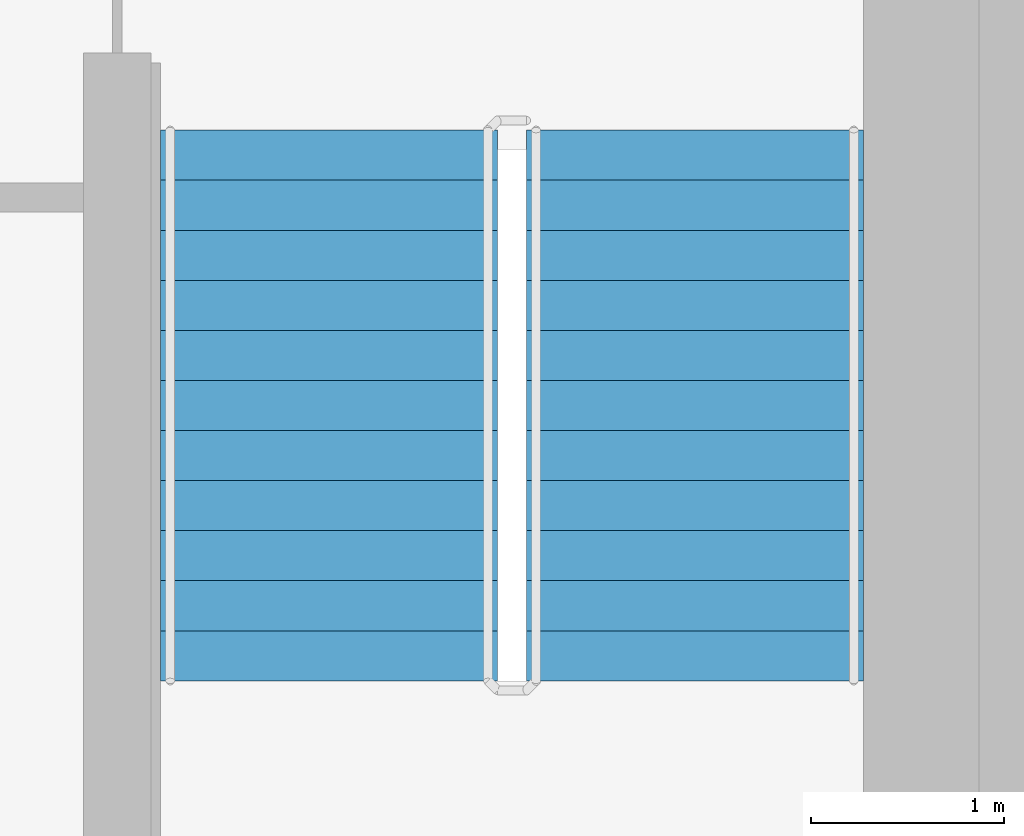
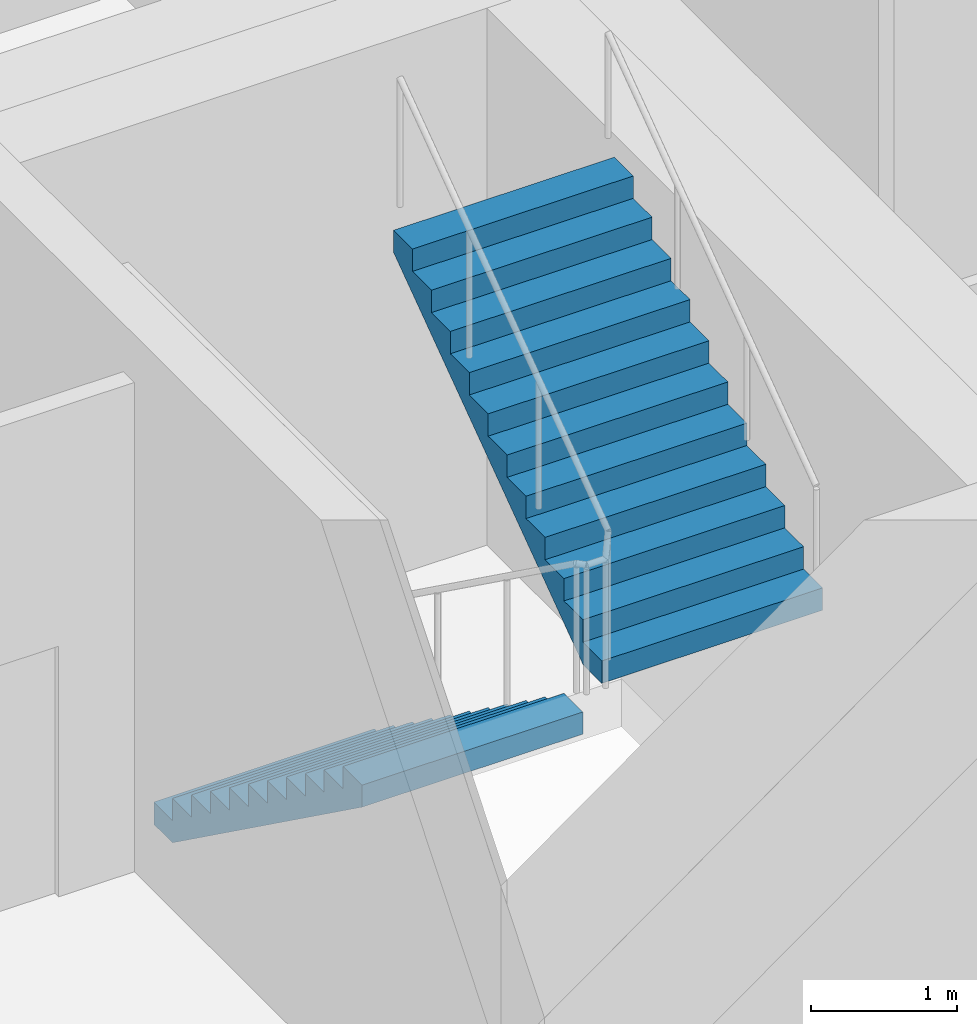
# One storey, part 13 of 16: 2 stair flights, 1 element without a shape of its own.
"""IFC4 building model written with IfcOpenShell, lengths in metres."""

from ifc_helpers import new_model, si_unit, direction, frame, origin, place, context, subcontext, project, spatial, faceted_brep, material, type_object, element, aggregate, save


model = new_model("IFC4")

# Units and contexts
model_context = context("Model", 3, precision=1e-05, world=origin(), true_north=direction((0.0, 1.0)))
body_context = subcontext(model_context, "Body", "Model", "MODEL_VIEW")
ifc_project = project(units=[si_unit("LENGTHUNIT", "METRE"), si_unit("AREAUNIT", "SQUARE_METRE"), si_unit("VOLUMEUNIT", "CUBIC_METRE"), si_unit("PLANEANGLEUNIT", "RADIAN"), si_unit("MASSUNIT", "GRAM", prefix="KILO")], contexts=[model_context])

# Site, building, storey
site_placement = place(None, origin())
site = spatial("IfcSite", under=ifc_project, at=site_placement, CompositionType="ELEMENT")
building_placement = place(site_placement, origin())
building = spatial("IfcBuilding", under=site, at=building_placement, Name="Ipe Terrace Towers", CompositionType="ELEMENT")
storey_placement = place(building_placement, frame((0.0, 0.0, 233.39990234375)))
storey = spatial("IfcBuildingStorey", under=building, at=storey_placement, Name="L65", CompositionType="ELEMENT", Elevation=233.39990234375)

# Stair, stair flights
ifc_material_1 = material(Name="Concrete C30/37", Category="concrete")
stair_type = type_object("IfcStairType", Name="Protected exit stair", PredefinedType="HALF_TURN_STAIR", material=ifc_material_1)
stair_placement = place(storey_placement, origin())
stair = element("IfcStair", 1, at=stair_placement, inside=storey, type_object=stair_type, Name="L65 Exit stair T2-C2", PredefinedType="HALF_TURN_STAIR")
ifc_material_2 = material(Name="Concrete C30/37", Category="concrete")
stair_flight_type = type_object("IfcStairFlightType", Name="Exit stair flight 1750", PredefinedType="STRAIGHT", material=ifc_material_2)
stair_flight_1_placement = place(storey_placement, frame((38.77490234375, -9.699951171875, 0.0), z_axis=(0.0, 0.0, 1.0), x_axis=(0.0, -1.0, 0.0)))
stair_flight_1 = element("IfcStairFlight", 2, at=stair_flight_1_placement, type_object=stair_flight_type, Name="T2-ST2 flight 1", NumberOfRisers=12, NumberOfTreads=11, PredefinedType="STRAIGHT", RiserHeight=0.1875, TreadLength=0.26, context=body_context, shape_type="Brep", body=[
    faceted_brep([(0.25634765625, -0.875, 0.0), (2.860107421875, -0.875, 1.877685546875), (2.860107421875, -0.875, 2.0625), (2.60009765625, -0.875, 2.0625), (2.60009765625, -0.875, 1.875), (2.340087890625, -0.875, 1.875), (2.340087890625, -0.875, 1.6875), (2.080078125, -0.875, 1.6875), (2.080078125, -0.875, 1.5), (1.820068359375, -0.875, 1.5), (1.820068359375, -0.875, 1.3125), (1.56005859375, -0.875, 1.3125), (1.56005859375, -0.875, 1.125), (1.300048828125, -0.875, 1.125), (1.300048828125, -0.875, 0.9375), (1.0400390625, -0.875, 0.9375), (1.0400390625, -0.875, 0.75), (0.780029296875, -0.875, 0.75), (0.780029296875, -0.875, 0.5625), (0.52001953125, -0.875, 0.5625), (0.52001953125, -0.875, 0.375), (0.260009765625, -0.875, 0.375), (0.260009765625, -0.875, 0.1875), (0.0, -0.875, 0.1875), (0.0, -0.875, 0.0), (0.0, 0.875, 0.0), (0.0, 0.875, 0.1875), (0.260009765625, 0.875, 0.1875), (0.260009765625, 0.875, 0.375), (0.52001953125, 0.875, 0.375), (0.52001953125, 0.875, 0.5625), (0.780029296875, 0.875, 0.5625), (0.780029296875, 0.875, 0.75), (1.0400390625, 0.875, 0.75), (1.0400390625, 0.875, 0.9375), (1.300048828125, 0.875, 0.9375), (1.300048828125, 0.875, 1.125), (1.56005859375, 0.875, 1.125), (1.56005859375, 0.875, 1.3125), (1.820068359375, 0.875, 1.3125), (1.820068359375, 0.875, 1.5), (2.080078125, 0.875, 1.5), (2.080078125, 0.875, 1.6875), (2.340087890625, 0.875, 1.6875), (2.340087890625, 0.875, 1.875), (2.60009765625, 0.875, 1.875), (2.60009765625, 0.875, 2.0625), (2.860107421875, 0.875, 2.0625), (2.860107421875, 0.875, 1.877685546875), (0.25634765625, 0.875, 0.0), (0.0, -0.300048828125, 0.1875), (0.0, -0.1201171875, 0.1875), (0.0, -0.06005859375, 0.1875), (0.0, -0.030029296875, 0.1875), (0.0, -0.010009765625, 0.1875), (0.0, 0.0, 0.1875), (0.0, 0.010009765625, 0.1875), (0.0, 0.030029296875, 0.1875), (0.0, 0.06005859375, 0.1875), (0.0, 0.1201171875, 0.1875), (0.0, 0.300048828125, 0.1875), (0.0, 0.300048828125, 0.0), (0.0, 0.1201171875, 0.0), (0.0, 0.06005859375, 0.0), (0.0, 0.030029296875, 0.0), (0.0, 0.010009765625, 0.0), (0.0, 0.0, 0.0), (0.0, -0.010009765625, 0.0), (0.0, -0.030029296875, 0.0), (0.0, -0.06005859375, 0.0), (0.0, -0.1201171875, 0.0), (0.0, -0.300048828125, 0.0), (0.260009765625, -0.300048828125, 0.1875), (0.260009765625, -0.1201171875, 0.1875), (0.260009765625, -0.06005859375, 0.1875), (0.260009765625, -0.030029296875, 0.1875), (0.260009765625, -0.010009765625, 0.1875), (0.260009765625, 0.0, 0.1875), (0.260009765625, 0.010009765625, 0.1875), (0.260009765625, 0.030029296875, 0.1875), (0.260009765625, 0.06005859375, 0.1875), (0.260009765625, 0.1201171875, 0.1875), (0.260009765625, 0.300048828125, 0.1875), (0.260009765625, -0.300048828125, 0.375), (0.260009765625, -0.1201171875, 0.375), (0.260009765625, -0.06005859375, 0.375), (0.260009765625, -0.030029296875, 0.375), (0.260009765625, -0.010009765625, 0.375), (0.260009765625, 0.0, 0.375), (0.260009765625, 0.010009765625, 0.375), (0.260009765625, 0.030029296875, 0.375), (0.260009765625, 0.06005859375, 0.375), (0.260009765625, 0.1201171875, 0.375), (0.260009765625, 0.300048828125, 0.375), (0.52001953125, -0.300048828125, 0.375), (0.52001953125, -0.1201171875, 0.375), (0.52001953125, -0.06005859375, 0.375), (0.52001953125, -0.030029296875, 0.375), (0.52001953125, -0.010009765625, 0.375), (0.52001953125, 0.0, 0.375), (0.52001953125, 0.010009765625, 0.375), (0.52001953125, 0.030029296875, 0.375), (0.52001953125, 0.06005859375, 0.375), (0.52001953125, 0.1201171875, 0.375), (0.52001953125, 0.300048828125, 0.375), (0.52001953125, -0.300048828125, 0.5625), (0.52001953125, -0.1201171875, 0.5625), (0.52001953125, -0.06005859375, 0.5625), (0.52001953125, -0.030029296875, 0.5625), (0.52001953125, -0.010009765625, 0.5625), (0.52001953125, 0.0, 0.5625), (0.52001953125, 0.010009765625, 0.5625), (0.52001953125, 0.030029296875, 0.5625), (0.52001953125, 0.06005859375, 0.5625), (0.52001953125, 0.1201171875, 0.5625), (0.52001953125, 0.300048828125, 0.5625), (0.780029296875, -0.300048828125, 0.5625), (0.780029296875, -0.1201171875, 0.5625), (0.780029296875, -0.06005859375, 0.5625), (0.780029296875, -0.030029296875, 0.5625), (0.780029296875, -0.010009765625, 0.5625), (0.780029296875, 0.0, 0.5625), (0.780029296875, 0.010009765625, 0.5625), (0.780029296875, 0.030029296875, 0.5625), (0.780029296875, 0.06005859375, 0.5625), (0.780029296875, 0.1201171875, 0.5625), (0.780029296875, 0.300048828125, 0.5625), (0.780029296875, -0.300048828125, 0.75), (0.780029296875, -0.1201171875, 0.75), (0.780029296875, -0.06005859375, 0.75), (0.780029296875, -0.030029296875, 0.75), (0.780029296875, -0.010009765625, 0.75), (0.780029296875, 0.0, 0.75), (0.780029296875, 0.010009765625, 0.75), (0.780029296875, 0.030029296875, 0.75), (0.780029296875, 0.06005859375, 0.75), (0.780029296875, 0.1201171875, 0.75), (0.780029296875, 0.300048828125, 0.75), (1.0400390625, -0.300048828125, 0.75), (1.0400390625, -0.1201171875, 0.75), (1.0400390625, -0.06005859375, 0.75), (1.0400390625, -0.030029296875, 0.75), (1.0400390625, -0.010009765625, 0.75), (1.0400390625, 0.0, 0.75), (1.0400390625, 0.010009765625, 0.75), (1.0400390625, 0.030029296875, 0.75), (1.0400390625, 0.06005859375, 0.75), (1.0400390625, 0.1201171875, 0.75), (1.0400390625, 0.300048828125, 0.75), (1.0400390625, -0.300048828125, 0.9375), (1.0400390625, -0.1201171875, 0.9375), (1.0400390625, -0.06005859375, 0.9375), (1.0400390625, -0.030029296875, 0.9375), (1.0400390625, -0.010009765625, 0.9375), (1.0400390625, 0.0, 0.9375), (1.0400390625, 0.010009765625, 0.9375), (1.0400390625, 0.030029296875, 0.9375), (1.0400390625, 0.06005859375, 0.9375), (1.0400390625, 0.1201171875, 0.9375), (1.0400390625, 0.300048828125, 0.9375), (1.300048828125, -0.300048828125, 0.9375), (1.300048828125, -0.1201171875, 0.9375), (1.300048828125, -0.06005859375, 0.9375), (1.300048828125, -0.030029296875, 0.9375), (1.300048828125, -0.010009765625, 0.9375), (1.300048828125, 0.0, 0.9375), (1.300048828125, 0.010009765625, 0.9375), (1.300048828125, 0.030029296875, 0.9375), (1.300048828125, 0.06005859375, 0.9375), (1.300048828125, 0.1201171875, 0.9375), (1.300048828125, 0.300048828125, 0.9375), (1.300048828125, -0.300048828125, 1.125), (1.300048828125, -0.1201171875, 1.125), (1.300048828125, -0.06005859375, 1.125), (1.300048828125, -0.030029296875, 1.125), (1.300048828125, -0.010009765625, 1.125), (1.300048828125, 0.0, 1.125), (1.300048828125, 0.010009765625, 1.125), (1.300048828125, 0.030029296875, 1.125), (1.300048828125, 0.06005859375, 1.125), (1.300048828125, 0.1201171875, 1.125), (1.300048828125, 0.300048828125, 1.125), (1.56005859375, -0.300048828125, 1.125), (1.56005859375, -0.1201171875, 1.125), (1.56005859375, -0.06005859375, 1.125), (1.56005859375, -0.030029296875, 1.125), (1.56005859375, -0.010009765625, 1.125), (1.56005859375, 0.0, 1.125), (1.56005859375, 0.010009765625, 1.125), (1.56005859375, 0.030029296875, 1.125), (1.56005859375, 0.06005859375, 1.125), (1.56005859375, 0.1201171875, 1.125), (1.56005859375, 0.300048828125, 1.125), (1.56005859375, -0.300048828125, 1.3125), (1.56005859375, -0.1201171875, 1.3125), (1.56005859375, -0.06005859375, 1.3125), (1.56005859375, -0.030029296875, 1.3125), (1.56005859375, -0.010009765625, 1.3125), (1.56005859375, 0.0, 1.3125), (1.56005859375, 0.010009765625, 1.3125), (1.56005859375, 0.030029296875, 1.3125), (1.56005859375, 0.06005859375, 1.3125), (1.56005859375, 0.1201171875, 1.3125), (1.56005859375, 0.300048828125, 1.3125), (1.820068359375, -0.300048828125, 1.3125), (1.820068359375, -0.1201171875, 1.3125), (1.820068359375, -0.06005859375, 1.3125), (1.820068359375, -0.030029296875, 1.3125), (1.820068359375, -0.010009765625, 1.3125), (1.820068359375, 0.0, 1.3125), (1.820068359375, 0.010009765625, 1.3125), (1.820068359375, 0.030029296875, 1.3125), (1.820068359375, 0.06005859375, 1.3125), (1.820068359375, 0.1201171875, 1.3125), (1.820068359375, 0.300048828125, 1.3125), (1.820068359375, -0.300048828125, 1.5), (1.820068359375, -0.1201171875, 1.5), (1.820068359375, -0.06005859375, 1.5), (1.820068359375, -0.030029296875, 1.5), (1.820068359375, -0.010009765625, 1.5), (1.820068359375, 0.0, 1.5), (1.820068359375, 0.010009765625, 1.5), (1.820068359375, 0.030029296875, 1.5), (1.820068359375, 0.06005859375, 1.5), (1.820068359375, 0.1201171875, 1.5), (1.820068359375, 0.300048828125, 1.5), (2.080078125, -0.300048828125, 1.5), (2.080078125, -0.1201171875, 1.5), (2.080078125, -0.06005859375, 1.5), (2.080078125, -0.030029296875, 1.5), (2.080078125, -0.010009765625, 1.5), (2.080078125, 0.0, 1.5), (2.080078125, 0.010009765625, 1.5), (2.080078125, 0.030029296875, 1.5), (2.080078125, 0.06005859375, 1.5), (2.080078125, 0.1201171875, 1.5), (2.080078125, 0.300048828125, 1.5), (2.080078125, -0.300048828125, 1.6875), (2.080078125, -0.1201171875, 1.6875), (2.080078125, -0.06005859375, 1.6875), (2.080078125, -0.030029296875, 1.6875), (2.080078125, -0.010009765625, 1.6875), (2.080078125, 0.0, 1.6875), (2.080078125, 0.010009765625, 1.6875), (2.080078125, 0.030029296875, 1.6875), (2.080078125, 0.06005859375, 1.6875), (2.080078125, 0.1201171875, 1.6875), (2.080078125, 0.300048828125, 1.6875), (2.340087890625, -0.300048828125, 1.6875), (2.340087890625, -0.1201171875, 1.6875), (2.340087890625, -0.06005859375, 1.6875), (2.340087890625, -0.030029296875, 1.6875), (2.340087890625, -0.010009765625, 1.6875), (2.340087890625, 0.0, 1.6875), (2.340087890625, 0.010009765625, 1.6875), (2.340087890625, 0.030029296875, 1.6875), (2.340087890625, 0.06005859375, 1.6875), (2.340087890625, 0.1201171875, 1.6875), (2.340087890625, 0.300048828125, 1.6875), (2.340087890625, -0.300048828125, 1.875), (2.340087890625, -0.1201171875, 1.875), (2.340087890625, -0.06005859375, 1.875), (2.340087890625, -0.030029296875, 1.875), (2.340087890625, -0.010009765625, 1.875), (2.340087890625, 0.0, 1.875), (2.340087890625, 0.010009765625, 1.875), (2.340087890625, 0.030029296875, 1.875), (2.340087890625, 0.06005859375, 1.875), (2.340087890625, 0.1201171875, 1.875), (2.340087890625, 0.300048828125, 1.875), (2.60009765625, -0.300048828125, 1.875), (2.60009765625, -0.1201171875, 1.875), (2.60009765625, -0.06005859375, 1.875), (2.60009765625, -0.030029296875, 1.875), (2.60009765625, -0.010009765625, 1.875), (2.60009765625, 0.0, 1.875), (2.60009765625, 0.010009765625, 1.875), (2.60009765625, 0.030029296875, 1.875), (2.60009765625, 0.06005859375, 1.875), (2.60009765625, 0.1201171875, 1.875), (2.60009765625, 0.300048828125, 1.875), (2.60009765625, -0.300048828125, 2.0625), (2.60009765625, -0.1201171875, 2.0625), (2.60009765625, -0.06005859375, 2.0625), (2.60009765625, -0.030029296875, 2.0625), (2.60009765625, -0.010009765625, 2.0625), (2.60009765625, 0.0, 2.0625), (2.60009765625, 0.010009765625, 2.0625), (2.60009765625, 0.030029296875, 2.0625), (2.60009765625, 0.06005859375, 2.0625), (2.60009765625, 0.1201171875, 2.0625), (2.60009765625, 0.300048828125, 2.0625), (2.860107421875, -0.300048828125, 2.0625), (2.860107421875, -0.1201171875, 2.0625), (2.860107421875, -0.06005859375, 2.0625), (2.860107421875, -0.030029296875, 2.0625), (2.860107421875, -0.010009765625, 2.0625), (2.860107421875, 0.0, 2.0625), (2.860107421875, 0.010009765625, 2.0625), (2.860107421875, 0.030029296875, 2.0625), (2.860107421875, 0.06005859375, 2.0625), (2.860107421875, 0.1201171875, 2.0625), (2.860107421875, 0.300048828125, 2.0625), (2.860107421875, -0.300048828125, 1.877685546875), (2.860107421875, -0.1201171875, 1.877685546875), (2.860107421875, -0.06005859375, 1.877685546875), (2.860107421875, -0.030029296875, 1.877685546875), (2.860107421875, -0.010009765625, 1.877685546875), (2.860107421875, 0.0, 1.877685546875), (2.860107421875, 0.010009765625, 1.877685546875), (2.860107421875, 0.030029296875, 1.877685546875), (2.860107421875, 0.06005859375, 1.877685546875), (2.860107421875, 0.1201171875, 1.877685546875), (2.860107421875, 0.300048828125, 1.877685546875), (0.25634765625, -0.300048828125, 0.0), (0.25634765625, -0.1201171875, 0.0), (0.25634765625, -0.06005859375, 0.0), (0.25634765625, -0.030029296875, 0.0), (0.25634765625, -0.010009765625, 0.0), (0.25634765625, 0.0, 0.0), (0.25634765625, 0.010009765625, 0.0), (0.25634765625, 0.030029296875, 0.0), (0.25634765625, 0.06005859375, 0.0), (0.25634765625, 0.1201171875, 0.0), (0.25634765625, 0.300048828125, 0.0)], [[[0, 1, 2, 3, 4, 5, 6, 7, 8, 9, 10, 11, 12, 13, 14, 15, 16, 17, 18, 19, 20, 21, 22, 23, 24]], [[25, 26, 27, 28, 29, 30, 31, 32, 33, 34, 35, 36, 37, 38, 39, 40, 41, 42, 43, 44, 45, 46, 47, 48, 49]], [[23, 50, 51, 52, 53, 54, 55, 56, 57, 58, 59, 60, 26, 25, 61, 62, 63, 64, 65, 66, 67, 68, 69, 70, 71, 24]], [[22, 72, 73, 74, 75, 76, 77, 78, 79, 80, 81, 82, 27, 26, 60, 59, 58, 57, 56, 55, 54, 53, 52, 51, 50, 23]], [[21, 83, 84, 85, 86, 87, 88, 89, 90, 91, 92, 93, 28, 27, 82, 81, 80, 79, 78, 77, 76, 75, 74, 73, 72, 22]], [[20, 94, 95, 96, 97, 98, 99, 100, 101, 102, 103, 104, 29, 28, 93, 92, 91, 90, 89, 88, 87, 86, 85, 84, 83, 21]], [[19, 105, 106, 107, 108, 109, 110, 111, 112, 113, 114, 115, 30, 29, 104, 103, 102, 101, 100, 99, 98, 97, 96, 95, 94, 20]], [[18, 116, 117, 118, 119, 120, 121, 122, 123, 124, 125, 126, 31, 30, 115, 114, 113, 112, 111, 110, 109, 108, 107, 106, 105, 19]], [[17, 127, 128, 129, 130, 131, 132, 133, 134, 135, 136, 137, 32, 31, 126, 125, 124, 123, 122, 121, 120, 119, 118, 117, 116, 18]], [[16, 138, 139, 140, 141, 142, 143, 144, 145, 146, 147, 148, 33, 32, 137, 136, 135, 134, 133, 132, 131, 130, 129, 128, 127, 17]], [[15, 149, 150, 151, 152, 153, 154, 155, 156, 157, 158, 159, 34, 33, 148, 147, 146, 145, 144, 143, 142, 141, 140, 139, 138, 16]], [[14, 160, 161, 162, 163, 164, 165, 166, 167, 168, 169, 170, 35, 34, 159, 158, 157, 156, 155, 154, 153, 152, 151, 150, 149, 15]], [[13, 171, 172, 173, 174, 175, 176, 177, 178, 179, 180, 181, 36, 35, 170, 169, 168, 167, 166, 165, 164, 163, 162, 161, 160, 14]], [[12, 182, 183, 184, 185, 186, 187, 188, 189, 190, 191, 192, 37, 36, 181, 180, 179, 178, 177, 176, 175, 174, 173, 172, 171, 13]], [[11, 193, 194, 195, 196, 197, 198, 199, 200, 201, 202, 203, 38, 37, 192, 191, 190, 189, 188, 187, 186, 185, 184, 183, 182, 12]], [[10, 204, 205, 206, 207, 208, 209, 210, 211, 212, 213, 214, 39, 38, 203, 202, 201, 200, 199, 198, 197, 196, 195, 194, 193, 11]], [[9, 215, 216, 217, 218, 219, 220, 221, 222, 223, 224, 225, 40, 39, 214, 213, 212, 211, 210, 209, 208, 207, 206, 205, 204, 10]], [[8, 226, 227, 228, 229, 230, 231, 232, 233, 234, 235, 236, 41, 40, 225, 224, 223, 222, 221, 220, 219, 218, 217, 216, 215, 9]], [[7, 237, 238, 239, 240, 241, 242, 243, 244, 245, 246, 247, 42, 41, 236, 235, 234, 233, 232, 231, 230, 229, 228, 227, 226, 8]], [[6, 248, 249, 250, 251, 252, 253, 254, 255, 256, 257, 258, 43, 42, 247, 246, 245, 244, 243, 242, 241, 240, 239, 238, 237, 7]], [[5, 259, 260, 261, 262, 263, 264, 265, 266, 267, 268, 269, 44, 43, 258, 257, 256, 255, 254, 253, 252, 251, 250, 249, 248, 6]], [[4, 270, 271, 272, 273, 274, 275, 276, 277, 278, 279, 280, 45, 44, 269, 268, 267, 266, 265, 264, 263, 262, 261, 260, 259, 5]], [[3, 281, 282, 283, 284, 285, 286, 287, 288, 289, 290, 291, 46, 45, 280, 279, 278, 277, 276, 275, 274, 273, 272, 271, 270, 4]], [[2, 292, 293, 294, 295, 296, 297, 298, 299, 300, 301, 302, 47, 46, 291, 290, 289, 288, 287, 286, 285, 284, 283, 282, 281, 3]], [[1, 303, 304, 305, 306, 307, 308, 309, 310, 311, 312, 313, 48, 47, 302, 301, 300, 299, 298, 297, 296, 295, 294, 293, 292, 2]], [[0, 314, 315, 316, 317, 318, 319, 320, 321, 322, 323, 324, 49, 48, 313, 312, 311, 310, 309, 308, 307, 306, 305, 304, 303, 1]], [[24, 71, 70, 69, 68, 67, 66, 65, 64, 63, 62, 61, 25, 49, 324, 323, 322, 321, 320, 319, 318, 317, 316, 315, 314, 0]]]),
])
stair_flight_2_placement = place(storey_placement, frame((40.675048828125, -12.56005859375, 2.25), z_axis=(0.0, 0.0, 1.0), x_axis=(0.0, 1.0, 0.0)))
stair_flight_2 = element("IfcStairFlight", 3, at=stair_flight_2_placement, type_object=stair_flight_type, Name="T2-ST2 flight 2", NumberOfRisers=12, NumberOfTreads=11, PredefinedType="STRAIGHT", RiserHeight=0.1875, TreadLength=0.26, context=body_context, shape_type="Brep", body=[
    faceted_brep([(0.25634765625, -0.875, 0.0), (2.860107421875, -0.875, 1.877685546875), (2.860107421875, -0.875, 2.0625), (2.60009765625, -0.875, 2.0625), (2.60009765625, -0.875, 1.875), (2.340087890625, -0.875, 1.875), (2.340087890625, -0.875, 1.6875), (2.080078125, -0.875, 1.6875), (2.080078125, -0.875, 1.5), (1.820068359375, -0.875, 1.5), (1.820068359375, -0.875, 1.3125), (1.56005859375, -0.875, 1.3125), (1.56005859375, -0.875, 1.125), (1.300048828125, -0.875, 1.125), (1.300048828125, -0.875, 0.9375), (1.0400390625, -0.875, 0.9375), (1.0400390625, -0.875, 0.75), (0.780029296875, -0.875, 0.75), (0.780029296875, -0.875, 0.5625), (0.52001953125, -0.875, 0.5625), (0.52001953125, -0.875, 0.375), (0.260009765625, -0.875, 0.375), (0.260009765625, -0.875, 0.1875), (0.0, -0.875, 0.1875), (0.0, -0.875, 0.0), (0.0, 0.875, 0.0), (0.0, 0.875, 0.1875), (0.260009765625, 0.875, 0.1875), (0.260009765625, 0.875, 0.375), (0.52001953125, 0.875, 0.375), (0.52001953125, 0.875, 0.5625), (0.780029296875, 0.875, 0.5625), (0.780029296875, 0.875, 0.75), (1.0400390625, 0.875, 0.75), (1.0400390625, 0.875, 0.9375), (1.300048828125, 0.875, 0.9375), (1.300048828125, 0.875, 1.125), (1.56005859375, 0.875, 1.125), (1.56005859375, 0.875, 1.3125), (1.820068359375, 0.875, 1.3125), (1.820068359375, 0.875, 1.5), (2.080078125, 0.875, 1.5), (2.080078125, 0.875, 1.6875), (2.340087890625, 0.875, 1.6875), (2.340087890625, 0.875, 1.875), (2.60009765625, 0.875, 1.875), (2.60009765625, 0.875, 2.0625), (2.860107421875, 0.875, 2.0625), (2.860107421875, 0.875, 1.877685546875), (0.25634765625, 0.875, 0.0), (0.0, -0.300048828125, 0.1875), (0.0, -0.1201171875, 0.1875), (0.0, -0.06005859375, 0.1875), (0.0, -0.030029296875, 0.1875), (0.0, -0.010009765625, 0.1875), (0.0, 0.0, 0.1875), (0.0, 0.010009765625, 0.1875), (0.0, 0.030029296875, 0.1875), (0.0, 0.06005859375, 0.1875), (0.0, 0.1201171875, 0.1875), (0.0, 0.300048828125, 0.1875), (0.0, 0.300048828125, 0.0), (0.0, 0.1201171875, 0.0), (0.0, 0.06005859375, 0.0), (0.0, 0.030029296875, 0.0), (0.0, 0.010009765625, 0.0), (0.0, 0.0, 0.0), (0.0, -0.010009765625, 0.0), (0.0, -0.030029296875, 0.0), (0.0, -0.06005859375, 0.0), (0.0, -0.1201171875, 0.0), (0.0, -0.300048828125, 0.0), (0.260009765625, -0.300048828125, 0.1875), (0.260009765625, -0.1201171875, 0.1875), (0.260009765625, -0.06005859375, 0.1875), (0.260009765625, -0.030029296875, 0.1875), (0.260009765625, -0.010009765625, 0.1875), (0.260009765625, 0.0, 0.1875), (0.260009765625, 0.010009765625, 0.1875), (0.260009765625, 0.030029296875, 0.1875), (0.260009765625, 0.06005859375, 0.1875), (0.260009765625, 0.1201171875, 0.1875), (0.260009765625, 0.300048828125, 0.1875), (0.260009765625, -0.300048828125, 0.375), (0.260009765625, -0.1201171875, 0.375), (0.260009765625, -0.06005859375, 0.375), (0.260009765625, -0.030029296875, 0.375), (0.260009765625, -0.010009765625, 0.375), (0.260009765625, 0.0, 0.375), (0.260009765625, 0.010009765625, 0.375), (0.260009765625, 0.030029296875, 0.375), (0.260009765625, 0.06005859375, 0.375), (0.260009765625, 0.1201171875, 0.375), (0.260009765625, 0.300048828125, 0.375), (0.52001953125, -0.300048828125, 0.375), (0.52001953125, -0.1201171875, 0.375), (0.52001953125, -0.06005859375, 0.375), (0.52001953125, -0.030029296875, 0.375), (0.52001953125, -0.010009765625, 0.375), (0.52001953125, 0.0, 0.375), (0.52001953125, 0.010009765625, 0.375), (0.52001953125, 0.030029296875, 0.375), (0.52001953125, 0.06005859375, 0.375), (0.52001953125, 0.1201171875, 0.375), (0.52001953125, 0.300048828125, 0.375), (0.52001953125, -0.300048828125, 0.5625), (0.52001953125, -0.1201171875, 0.5625), (0.52001953125, -0.06005859375, 0.5625), (0.52001953125, -0.030029296875, 0.5625), (0.52001953125, -0.010009765625, 0.5625), (0.52001953125, 0.0, 0.5625), (0.52001953125, 0.010009765625, 0.5625), (0.52001953125, 0.030029296875, 0.5625), (0.52001953125, 0.06005859375, 0.5625), (0.52001953125, 0.1201171875, 0.5625), (0.52001953125, 0.300048828125, 0.5625), (0.780029296875, -0.300048828125, 0.5625), (0.780029296875, -0.1201171875, 0.5625), (0.780029296875, -0.06005859375, 0.5625), (0.780029296875, -0.030029296875, 0.5625), (0.780029296875, -0.010009765625, 0.5625), (0.780029296875, 0.0, 0.5625), (0.780029296875, 0.010009765625, 0.5625), (0.780029296875, 0.030029296875, 0.5625), (0.780029296875, 0.06005859375, 0.5625), (0.780029296875, 0.1201171875, 0.5625), (0.780029296875, 0.300048828125, 0.5625), (0.780029296875, -0.300048828125, 0.75), (0.780029296875, -0.1201171875, 0.75), (0.780029296875, -0.06005859375, 0.75), (0.780029296875, -0.030029296875, 0.75), (0.780029296875, -0.010009765625, 0.75), (0.780029296875, 0.0, 0.75), (0.780029296875, 0.010009765625, 0.75), (0.780029296875, 0.030029296875, 0.75), (0.780029296875, 0.06005859375, 0.75), (0.780029296875, 0.1201171875, 0.75), (0.780029296875, 0.300048828125, 0.75), (1.0400390625, -0.300048828125, 0.75), (1.0400390625, -0.1201171875, 0.75), (1.0400390625, -0.06005859375, 0.75), (1.0400390625, -0.030029296875, 0.75), (1.0400390625, -0.010009765625, 0.75), (1.0400390625, 0.0, 0.75), (1.0400390625, 0.010009765625, 0.75), (1.0400390625, 0.030029296875, 0.75), (1.0400390625, 0.06005859375, 0.75), (1.0400390625, 0.1201171875, 0.75), (1.0400390625, 0.300048828125, 0.75), (1.0400390625, -0.300048828125, 0.9375), (1.0400390625, -0.1201171875, 0.9375), (1.0400390625, -0.06005859375, 0.9375), (1.0400390625, -0.030029296875, 0.9375), (1.0400390625, -0.010009765625, 0.9375), (1.0400390625, 0.0, 0.9375), (1.0400390625, 0.010009765625, 0.9375), (1.0400390625, 0.030029296875, 0.9375), (1.0400390625, 0.06005859375, 0.9375), (1.0400390625, 0.1201171875, 0.9375), (1.0400390625, 0.300048828125, 0.9375), (1.300048828125, -0.300048828125, 0.9375), (1.300048828125, -0.1201171875, 0.9375), (1.300048828125, -0.06005859375, 0.9375), (1.300048828125, -0.030029296875, 0.9375), (1.300048828125, -0.010009765625, 0.9375), (1.300048828125, 0.0, 0.9375), (1.300048828125, 0.010009765625, 0.9375), (1.300048828125, 0.030029296875, 0.9375), (1.300048828125, 0.06005859375, 0.9375), (1.300048828125, 0.1201171875, 0.9375), (1.300048828125, 0.300048828125, 0.9375), (1.300048828125, -0.300048828125, 1.125), (1.300048828125, -0.1201171875, 1.125), (1.300048828125, -0.06005859375, 1.125), (1.300048828125, -0.030029296875, 1.125), (1.300048828125, -0.010009765625, 1.125), (1.300048828125, 0.0, 1.125), (1.300048828125, 0.010009765625, 1.125), (1.300048828125, 0.030029296875, 1.125), (1.300048828125, 0.06005859375, 1.125), (1.300048828125, 0.1201171875, 1.125), (1.300048828125, 0.300048828125, 1.125), (1.56005859375, -0.300048828125, 1.125), (1.56005859375, -0.1201171875, 1.125), (1.56005859375, -0.06005859375, 1.125), (1.56005859375, -0.030029296875, 1.125), (1.56005859375, -0.010009765625, 1.125), (1.56005859375, 0.0, 1.125), (1.56005859375, 0.010009765625, 1.125), (1.56005859375, 0.030029296875, 1.125), (1.56005859375, 0.06005859375, 1.125), (1.56005859375, 0.1201171875, 1.125), (1.56005859375, 0.300048828125, 1.125), (1.56005859375, -0.300048828125, 1.3125), (1.56005859375, -0.1201171875, 1.3125), (1.56005859375, -0.06005859375, 1.3125), (1.56005859375, -0.030029296875, 1.3125), (1.56005859375, -0.010009765625, 1.3125), (1.56005859375, 0.0, 1.3125), (1.56005859375, 0.010009765625, 1.3125), (1.56005859375, 0.030029296875, 1.3125), (1.56005859375, 0.06005859375, 1.3125), (1.56005859375, 0.1201171875, 1.3125), (1.56005859375, 0.300048828125, 1.3125), (1.820068359375, -0.300048828125, 1.3125), (1.820068359375, -0.1201171875, 1.3125), (1.820068359375, -0.06005859375, 1.3125), (1.820068359375, -0.030029296875, 1.3125), (1.820068359375, -0.010009765625, 1.3125), (1.820068359375, 0.0, 1.3125), (1.820068359375, 0.010009765625, 1.3125), (1.820068359375, 0.030029296875, 1.3125), (1.820068359375, 0.06005859375, 1.3125), (1.820068359375, 0.1201171875, 1.3125), (1.820068359375, 0.300048828125, 1.3125), (1.820068359375, -0.300048828125, 1.5), (1.820068359375, -0.1201171875, 1.5), (1.820068359375, -0.06005859375, 1.5), (1.820068359375, -0.030029296875, 1.5), (1.820068359375, -0.010009765625, 1.5), (1.820068359375, 0.0, 1.5), (1.820068359375, 0.010009765625, 1.5), (1.820068359375, 0.030029296875, 1.5), (1.820068359375, 0.06005859375, 1.5), (1.820068359375, 0.1201171875, 1.5), (1.820068359375, 0.300048828125, 1.5), (2.080078125, -0.300048828125, 1.5), (2.080078125, -0.1201171875, 1.5), (2.080078125, -0.06005859375, 1.5), (2.080078125, -0.030029296875, 1.5), (2.080078125, -0.010009765625, 1.5), (2.080078125, 0.0, 1.5), (2.080078125, 0.010009765625, 1.5), (2.080078125, 0.030029296875, 1.5), (2.080078125, 0.06005859375, 1.5), (2.080078125, 0.1201171875, 1.5), (2.080078125, 0.300048828125, 1.5), (2.080078125, -0.300048828125, 1.6875), (2.080078125, -0.1201171875, 1.6875), (2.080078125, -0.06005859375, 1.6875), (2.080078125, -0.030029296875, 1.6875), (2.080078125, -0.010009765625, 1.6875), (2.080078125, 0.0, 1.6875), (2.080078125, 0.010009765625, 1.6875), (2.080078125, 0.030029296875, 1.6875), (2.080078125, 0.06005859375, 1.6875), (2.080078125, 0.1201171875, 1.6875), (2.080078125, 0.300048828125, 1.6875), (2.340087890625, -0.300048828125, 1.6875), (2.340087890625, -0.1201171875, 1.6875), (2.340087890625, -0.06005859375, 1.6875), (2.340087890625, -0.030029296875, 1.6875), (2.340087890625, -0.010009765625, 1.6875), (2.340087890625, 0.0, 1.6875), (2.340087890625, 0.010009765625, 1.6875), (2.340087890625, 0.030029296875, 1.6875), (2.340087890625, 0.06005859375, 1.6875), (2.340087890625, 0.1201171875, 1.6875), (2.340087890625, 0.300048828125, 1.6875), (2.340087890625, -0.300048828125, 1.875), (2.340087890625, -0.1201171875, 1.875), (2.340087890625, -0.06005859375, 1.875), (2.340087890625, -0.030029296875, 1.875), (2.340087890625, -0.010009765625, 1.875), (2.340087890625, 0.0, 1.875), (2.340087890625, 0.010009765625, 1.875), (2.340087890625, 0.030029296875, 1.875), (2.340087890625, 0.06005859375, 1.875), (2.340087890625, 0.1201171875, 1.875), (2.340087890625, 0.300048828125, 1.875), (2.60009765625, -0.300048828125, 1.875), (2.60009765625, -0.1201171875, 1.875), (2.60009765625, -0.06005859375, 1.875), (2.60009765625, -0.030029296875, 1.875), (2.60009765625, -0.010009765625, 1.875), (2.60009765625, 0.0, 1.875), (2.60009765625, 0.010009765625, 1.875), (2.60009765625, 0.030029296875, 1.875), (2.60009765625, 0.06005859375, 1.875), (2.60009765625, 0.1201171875, 1.875), (2.60009765625, 0.300048828125, 1.875), (2.60009765625, -0.300048828125, 2.0625), (2.60009765625, -0.1201171875, 2.0625), (2.60009765625, -0.06005859375, 2.0625), (2.60009765625, -0.030029296875, 2.0625), (2.60009765625, -0.010009765625, 2.0625), (2.60009765625, 0.0, 2.0625), (2.60009765625, 0.010009765625, 2.0625), (2.60009765625, 0.030029296875, 2.0625), (2.60009765625, 0.06005859375, 2.0625), (2.60009765625, 0.1201171875, 2.0625), (2.60009765625, 0.300048828125, 2.0625), (2.860107421875, -0.300048828125, 2.0625), (2.860107421875, -0.1201171875, 2.0625), (2.860107421875, -0.06005859375, 2.0625), (2.860107421875, -0.030029296875, 2.0625), (2.860107421875, -0.010009765625, 2.0625), (2.860107421875, 0.0, 2.0625), (2.860107421875, 0.010009765625, 2.0625), (2.860107421875, 0.030029296875, 2.0625), (2.860107421875, 0.06005859375, 2.0625), (2.860107421875, 0.1201171875, 2.0625), (2.860107421875, 0.300048828125, 2.0625), (2.860107421875, -0.300048828125, 1.877685546875), (2.860107421875, -0.1201171875, 1.877685546875), (2.860107421875, -0.06005859375, 1.877685546875), (2.860107421875, -0.030029296875, 1.877685546875), (2.860107421875, -0.010009765625, 1.877685546875), (2.860107421875, 0.0, 1.877685546875), (2.860107421875, 0.010009765625, 1.877685546875), (2.860107421875, 0.030029296875, 1.877685546875), (2.860107421875, 0.06005859375, 1.877685546875), (2.860107421875, 0.1201171875, 1.877685546875), (2.860107421875, 0.300048828125, 1.877685546875), (0.25634765625, -0.300048828125, 0.0), (0.25634765625, -0.1201171875, 0.0), (0.25634765625, -0.06005859375, 0.0), (0.25634765625, -0.030029296875, 0.0), (0.25634765625, -0.010009765625, 0.0), (0.25634765625, 0.0, 0.0), (0.25634765625, 0.010009765625, 0.0), (0.25634765625, 0.030029296875, 0.0), (0.25634765625, 0.06005859375, 0.0), (0.25634765625, 0.1201171875, 0.0), (0.25634765625, 0.300048828125, 0.0)], [[[0, 1, 2, 3, 4, 5, 6, 7, 8, 9, 10, 11, 12, 13, 14, 15, 16, 17, 18, 19, 20, 21, 22, 23, 24]], [[25, 26, 27, 28, 29, 30, 31, 32, 33, 34, 35, 36, 37, 38, 39, 40, 41, 42, 43, 44, 45, 46, 47, 48, 49]], [[23, 50, 51, 52, 53, 54, 55, 56, 57, 58, 59, 60, 26, 25, 61, 62, 63, 64, 65, 66, 67, 68, 69, 70, 71, 24]], [[22, 72, 73, 74, 75, 76, 77, 78, 79, 80, 81, 82, 27, 26, 60, 59, 58, 57, 56, 55, 54, 53, 52, 51, 50, 23]], [[21, 83, 84, 85, 86, 87, 88, 89, 90, 91, 92, 93, 28, 27, 82, 81, 80, 79, 78, 77, 76, 75, 74, 73, 72, 22]], [[20, 94, 95, 96, 97, 98, 99, 100, 101, 102, 103, 104, 29, 28, 93, 92, 91, 90, 89, 88, 87, 86, 85, 84, 83, 21]], [[19, 105, 106, 107, 108, 109, 110, 111, 112, 113, 114, 115, 30, 29, 104, 103, 102, 101, 100, 99, 98, 97, 96, 95, 94, 20]], [[18, 116, 117, 118, 119, 120, 121, 122, 123, 124, 125, 126, 31, 30, 115, 114, 113, 112, 111, 110, 109, 108, 107, 106, 105, 19]], [[17, 127, 128, 129, 130, 131, 132, 133, 134, 135, 136, 137, 32, 31, 126, 125, 124, 123, 122, 121, 120, 119, 118, 117, 116, 18]], [[16, 138, 139, 140, 141, 142, 143, 144, 145, 146, 147, 148, 33, 32, 137, 136, 135, 134, 133, 132, 131, 130, 129, 128, 127, 17]], [[15, 149, 150, 151, 152, 153, 154, 155, 156, 157, 158, 159, 34, 33, 148, 147, 146, 145, 144, 143, 142, 141, 140, 139, 138, 16]], [[14, 160, 161, 162, 163, 164, 165, 166, 167, 168, 169, 170, 35, 34, 159, 158, 157, 156, 155, 154, 153, 152, 151, 150, 149, 15]], [[13, 171, 172, 173, 174, 175, 176, 177, 178, 179, 180, 181, 36, 35, 170, 169, 168, 167, 166, 165, 164, 163, 162, 161, 160, 14]], [[12, 182, 183, 184, 185, 186, 187, 188, 189, 190, 191, 192, 37, 36, 181, 180, 179, 178, 177, 176, 175, 174, 173, 172, 171, 13]], [[11, 193, 194, 195, 196, 197, 198, 199, 200, 201, 202, 203, 38, 37, 192, 191, 190, 189, 188, 187, 186, 185, 184, 183, 182, 12]], [[10, 204, 205, 206, 207, 208, 209, 210, 211, 212, 213, 214, 39, 38, 203, 202, 201, 200, 199, 198, 197, 196, 195, 194, 193, 11]], [[9, 215, 216, 217, 218, 219, 220, 221, 222, 223, 224, 225, 40, 39, 214, 213, 212, 211, 210, 209, 208, 207, 206, 205, 204, 10]], [[8, 226, 227, 228, 229, 230, 231, 232, 233, 234, 235, 236, 41, 40, 225, 224, 223, 222, 221, 220, 219, 218, 217, 216, 215, 9]], [[7, 237, 238, 239, 240, 241, 242, 243, 244, 245, 246, 247, 42, 41, 236, 235, 234, 233, 232, 231, 230, 229, 228, 227, 226, 8]], [[6, 248, 249, 250, 251, 252, 253, 254, 255, 256, 257, 258, 43, 42, 247, 246, 245, 244, 243, 242, 241, 240, 239, 238, 237, 7]], [[5, 259, 260, 261, 262, 263, 264, 265, 266, 267, 268, 269, 44, 43, 258, 257, 256, 255, 254, 253, 252, 251, 250, 249, 248, 6]], [[4, 270, 271, 272, 273, 274, 275, 276, 277, 278, 279, 280, 45, 44, 269, 268, 267, 266, 265, 264, 263, 262, 261, 260, 259, 5]], [[3, 281, 282, 283, 284, 285, 286, 287, 288, 289, 290, 291, 46, 45, 280, 279, 278, 277, 276, 275, 274, 273, 272, 271, 270, 4]], [[2, 292, 293, 294, 295, 296, 297, 298, 299, 300, 301, 302, 47, 46, 291, 290, 289, 288, 287, 286, 285, 284, 283, 282, 281, 3]], [[1, 303, 304, 305, 306, 307, 308, 309, 310, 311, 312, 313, 48, 47, 302, 301, 300, 299, 298, 297, 296, 295, 294, 293, 292, 2]], [[0, 314, 315, 316, 317, 318, 319, 320, 321, 322, 323, 324, 49, 48, 313, 312, 311, 310, 309, 308, 307, 306, 305, 304, 303, 1]], [[24, 71, 70, 69, 68, 67, 66, 65, 64, 63, 62, 61, 25, 49, 324, 323, 322, 321, 320, 319, 318, 317, 316, 315, 314, 0]]]),
])
aggregate(stair, [stair_flight_1, stair_flight_2])

save(model, "model.ifc")
